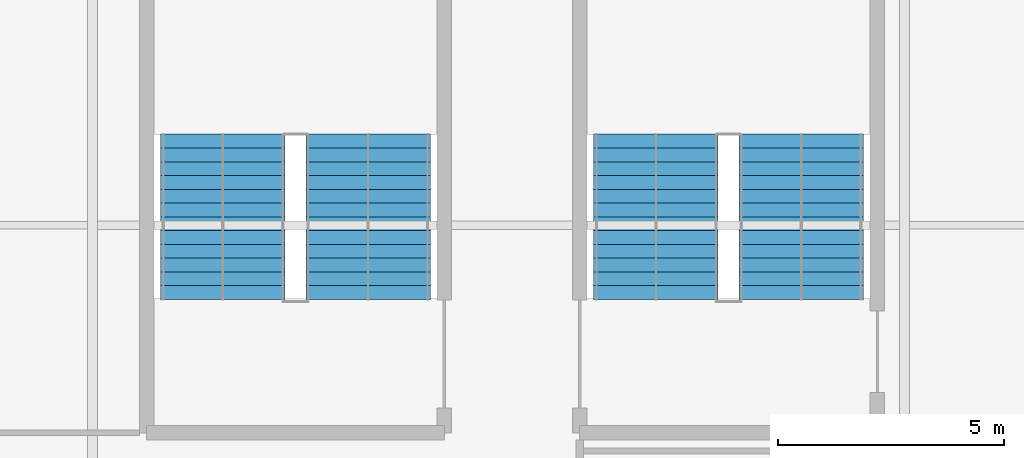
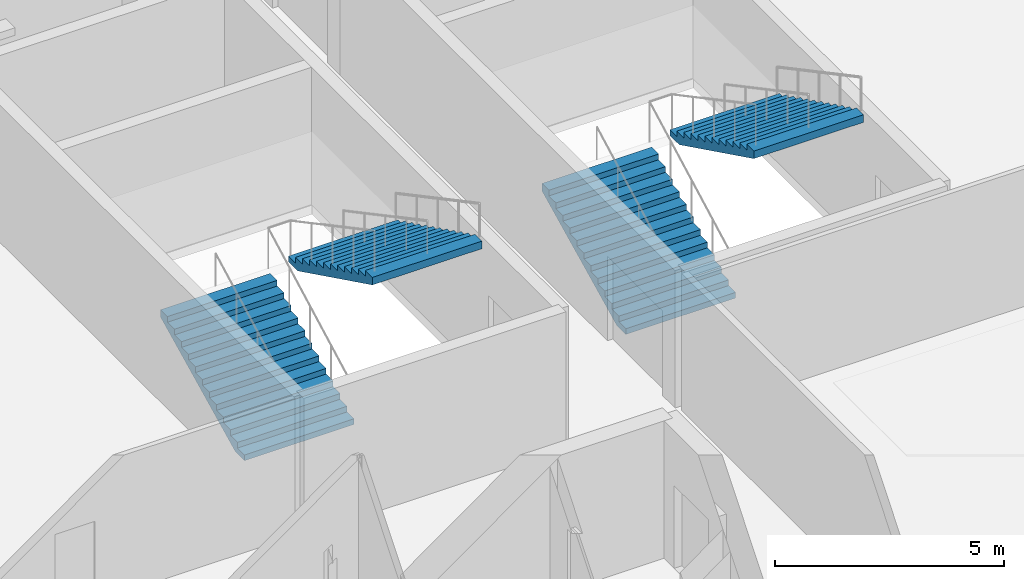
# One storey, part 26 of 35: 4 stair flights, 2 elements without a shape of their own.
"""IFC4 building model written with IfcOpenShell, lengths in metres."""

import ifcopenshell
import ifcopenshell.guid

model = None  # the IFC model being written
_history = None  # IfcOwnerHistory: only IFC2X3 demands one
_inside = {}  # id of a spatial element -> (the spatial element, [elements in it])
_under = {}  # id of a project, library or spatial element -> (it, [spatial elements below it])
_declared = {}  # id of a project -> (the project, [libraries it declares])
_typed = {}  # id of a type object -> (the type object, [elements of that type])
_made_of = {}  # id of a material, layer set ... -> (it, [elements and type objects made of it])


def new_model(schema):
    """Start an empty IFC model of exactly this schema.

    Asked for "IFC4X3", IfcOpenShell would pick the latest addendum, in which some entities
    have other attributes; the version numbers below select the first issue.
    IFC2X3 requires an IfcOwnerHistory on every rooted entity: one is made here for all.
    """
    global model, _history
    if schema == "IFC4X3":
        model = ifcopenshell.file(schema_version=(4, 3, 0, 0))
    else:
        model = ifcopenshell.file(schema=schema)
    _inside.clear()
    _under.clear()
    _declared.clear()
    _typed.clear()
    _made_of.clear()
    _history = None
    if model.schema == "IFC2X3":
        org = make("IfcOrganization", Name="unknown")
        user = make(
            "IfcPersonAndOrganization",
            ThePerson=make("IfcPerson", FamilyName="unknown"),
            TheOrganization=org,
        )
        app = make(
            "IfcApplication",
            ApplicationDeveloper=org,
            Version="unknown",
            ApplicationFullName="unknown",
            ApplicationIdentifier="unknown",
        )
        _history = make(
            "IfcOwnerHistory",
            OwningUser=user,
            OwningApplication=app,
            ChangeAction="ADDED",
            CreationDate=0,
        )
    return model


def make(cls, **values):
    """One entity of the class cls with the attributes given. An attribute that is None is left unset."""
    return model.create_entity(
        cls, **{name: value for name, value in values.items() if value is not None}
    )


def rooted(cls, **values):
    """An entity with a GlobalId (a new one), such as an element, a storey or a relation."""
    return make(cls, GlobalId=ifcopenshell.guid.new(), OwnerHistory=_history, **values)


def si_unit(unit_type, name, prefix=None):
    """IfcSIUnit, for example si_unit("LENGTHUNIT", "METRE", prefix="MILLI")."""
    return make("IfcSIUnit", UnitType=unit_type, Prefix=prefix, Name=name)


def assignment(units):
    """IfcUnitAssignment: the units of a project."""
    return None if units is None else make("IfcUnitAssignment", Units=units)


def point(xyz):
    """IfcCartesianPoint."""
    return None if xyz is None else make("IfcCartesianPoint", Coordinates=xyz)


def direction(xyz):
    """IfcDirection."""
    return None if xyz is None else make("IfcDirection", DirectionRatios=xyz)


def frame(location, z_axis=None, x_axis=None):
    """IfcAxis2Placement3D, a coordinate frame: its origin and axes. An axis left out is left unset."""
    return make(
        "IfcAxis2Placement3D",
        Location=point(location),
        Axis=direction(z_axis),
        RefDirection=direction(x_axis),
    )


def origin():
    """The frame at (0, 0, 0) with its axes left unset."""
    return frame((0.0, 0.0, 0.0))


def place(relative_to, where):
    """IfcLocalPlacement: puts the frame where relative to a parent placement (None: the world)."""
    return make(
        "IfcLocalPlacement", PlacementRelTo=relative_to, RelativePlacement=where
    )


def context(
    kind, dimensions, precision=None, world=None, true_north=None, identifier=None
):
    """IfcGeometricRepresentationContext, for example the 3D "Model" context."""
    return make(
        "IfcGeometricRepresentationContext",
        ContextIdentifier=identifier,
        ContextType=kind,
        CoordinateSpaceDimension=dimensions,
        Precision=precision,
        WorldCoordinateSystem=world,
        TrueNorth=true_north,
    )


def subcontext(parent, identifier, kind, view, scale=None):
    """IfcGeometricRepresentationSubContext, for example "Body" below "Model"."""
    return make(
        "IfcGeometricRepresentationSubContext",
        ContextIdentifier=identifier,
        ContextType=kind,
        ParentContext=parent,
        TargetScale=scale,
        TargetView=view,
    )


def project(units=None, contexts=None):
    """IfcProject with its units and contexts."""
    return rooted(
        "IfcProject",
        Name="project",
        RepresentationContexts=contexts,
        UnitsInContext=assignment(units),
    )


def spatial(cls, under=None, at=None, **own):
    """A site, building, storey or space (cls), placed at a placement, below another one or the project."""
    s = rooted(cls, ObjectPlacement=at, **own)
    if under is not None:
        _under.setdefault(under.id(), (under, []))[1].append(s)
    return s


def point_list(points):
    """IfcCartesianPointList2D or 3D."""
    cls = (
        "IfcCartesianPointList2D" if len(points[0]) == 2 else "IfcCartesianPointList3D"
    )
    return make(cls, CoordList=points)


def polygons(points, faces, closed=None, point_numbers=None):
    """IfcPolygonalFaceSet: a face is its outer loop, then its inner loops; points numbered from 1."""
    made = []
    for loops in faces:
        if len(loops) == 1:
            made.append(make("IfcIndexedPolygonalFace", CoordIndex=loops[0]))
        else:
            made.append(
                make(
                    "IfcIndexedPolygonalFaceWithVoids",
                    CoordIndex=loops[0],
                    InnerCoordIndices=loops[1:],
                )
            )
    return make(
        "IfcPolygonalFaceSet",
        Coordinates=point_list(points),
        Closed=closed,
        Faces=made,
        PnIndex=point_numbers,
    )


def shape(context_of_items, identifier, shape_type, items):
    """IfcShapeRepresentation: the items that make up one representation, for example the "Body"."""
    return make(
        "IfcShapeRepresentation",
        ContextOfItems=context_of_items,
        RepresentationIdentifier=identifier,
        RepresentationType=shape_type,
        Items=items,
    )


def material(Name=None, Category=None):
    """IfcMaterial."""
    return make("IfcMaterial", Name=Name, Category=Category)


def made_of(thing, what):
    """Note that an element or type object is made of a material, layer set ...; save() writes the relation."""
    if what is not None:
        _made_of.setdefault(what.id(), (what, []))[1].append(thing)
    return thing


def type_object(cls, material=None, **own):
    """A type object (cls), such as IfcWallType, which elements share."""
    return made_of(rooted(cls, **own), material)


def element(
    cls,
    number,
    at=None,
    inside=None,
    cuts=None,
    type_object=None,
    material=None,
    context=None,
    identifier="Body",
    shape_type=None,
    held_by="IfcProductDefinitionShape",
    body=None,
    shapes=None,
    **own,
):
    """One element of the class cls, such as IfcWall. Its Tag is "e" and its number.

    at: its placement. inside: the storey or other place that contains it. cuts: it is an
    opening in that element (IfcRelVoidsElement). A single representation is given by context,
    identifier, shape_type and body (its items); several are given by shapes. held_by: the class
    of the entity that holds the representations. save() writes the other relations.
    """
    e = rooted(cls, Tag="e%d" % number, ObjectPlacement=at, **own)
    if body is not None:
        shapes = [shape(context, identifier, shape_type, body)]
    if shapes is not None:
        e.Representation = make(held_by, Representations=shapes)
    if inside is not None:
        _inside.setdefault(inside.id(), (inside, []))[1].append(e)
    if cuts is not None:
        rooted(
            "IfcRelVoidsElement", RelatingBuildingElement=cuts, RelatedOpeningElement=e
        )
    if type_object is not None:
        _typed.setdefault(type_object.id(), (type_object, []))[1].append(e)
    return made_of(e, material)


def aggregate(whole, parts):
    """IfcRelAggregates: a whole, such as a stair, and the parts it consists of."""
    return rooted("IfcRelAggregates", RelatingObject=whole, RelatedObjects=parts)


def save(model, path):
    """Write the relations noted so far, then the file.

    IfcRelAggregates (storeys below a building ...), IfcRelContainedInSpatialStructure (elements
    in a storey), IfcRelDefinesByType, IfcRelAssociatesMaterial and IfcRelDeclares: one each for
    every whole, place, type object, material and project.
    """
    for whole, parts in _under.values():
        aggregate(whole, parts)
    for where, things in _inside.values():
        rooted(
            "IfcRelContainedInSpatialStructure",
            RelatedElements=things,
            RelatingStructure=where,
        )
    for kind, things in _typed.values():
        rooted("IfcRelDefinesByType", RelatedObjects=things, RelatingType=kind)
    for what, things in _made_of.values():
        rooted("IfcRelAssociatesMaterial", RelatedObjects=things, RelatingMaterial=what)
    for by, libraries in _declared.values():
        rooted("IfcRelDeclares", RelatingContext=by, RelatedDefinitions=libraries)
    model.write(path)


model = new_model("IFC4")

# Units and contexts
model_context = context("Model", 3, precision=1e-05, world=origin(), true_north=direction((0.0, 1.0)))
body_context = subcontext(model_context, "Body", "Model", "MODEL_VIEW")
ifc_project = project(units=[si_unit("LENGTHUNIT", "METRE"), si_unit("AREAUNIT", "SQUARE_METRE"), si_unit("VOLUMEUNIT", "CUBIC_METRE"), si_unit("PLANEANGLEUNIT", "RADIAN"), si_unit("MASSUNIT", "GRAM", prefix="KILO")], contexts=[model_context])

# Site, building, storey
site_placement = place(None, origin())
site = spatial("IfcSite", under=ifc_project, at=site_placement, CompositionType="ELEMENT")
building_placement = place(site_placement, origin())
building = spatial("IfcBuilding", under=site, at=building_placement, Name="Kisiwana Market Hall", CompositionType="ELEMENT")
storey_placement = place(building_placement, frame((0.0, 0.0, 61.800048828125)))
storey = spatial("IfcBuildingStorey", under=building, at=storey_placement, Name="L14", CompositionType="ELEMENT", Elevation=61.800048828125)

# Stair, stair flights
ifc_material_1 = material(Name="Concrete C32/40", Category="concrete")
stair_type = type_object("IfcStairType", Name="ST-ESC-3900", PredefinedType="TWO_STRAIGHT_RUN_STAIR", material=ifc_material_1)
stair_1_placement = place(storey_placement, origin())
stair_1 = element("IfcStair", 1, at=stair_1_placement, inside=storey, type_object=stair_type, Name="Escape stair ST-W3-L14", PredefinedType="TWO_STRAIGHT_RUN_STAIR")
ifc_material_2 = material(Name="Concrete C32/40", Category="concrete")
stair_flight_type = type_object("IfcStairFlightType", Name="SF-ESC-3900", PredefinedType="STRAIGHT", material=ifc_material_2)
stair_flight_1_placement = place(storey_placement, frame((11.889892578125, 42.360107421875, 0.0), z_axis=(0.0, 0.0, 1.0), x_axis=(0.0, 1.0, 0.0)))
stair_flight_1 = element("IfcStairFlight", 2, at=stair_flight_1_placement, type_object=stair_flight_type, Name="ST-W3-L14 flight 1", NumberOfRisers=13, NumberOfTreads=12, PredefinedType="STRAIGHT", RiserHeight=0.15, TreadLength=0.305, context=body_context, shape_type="Tessellation", body=[
    polygons([(0.0, -1.380127, 0.0), (0.0, -0.690125, 0.0), (0.0, -0.000122, 0.0), (0.0, 0.68988, 0.0), (0.0, 1.379883, 0.0), (0.0, -1.380127, 0.149902), (0.0, -0.690125, 0.149902), (0.0, -0.000122, 0.149902), (0.0, 0.68988, 0.149902), (0.0, 1.379883, 0.149902), (0.304932, -1.380127, 0.149902), (0.304932, -0.690125, 0.149902), (0.304932, -0.000122, 0.149902), (0.304932, 0.68988, 0.149902), (0.304932, 1.379883, 0.149902), (0.304932, -1.380127, 0.300049), (0.304932, -0.690125, 0.300049), (0.304932, -0.000122, 0.300049), (0.304932, 0.68988, 0.300049), (0.304932, 1.379883, 0.300049), (0.610107, -1.380127, 0.300049), (0.610107, -0.690125, 0.300049), (0.610107, -0.000122, 0.300049), (0.610107, 0.68988, 0.300049), (0.610107, 1.379883, 0.300049), (0.610107, -1.380127, 0.449951), (0.610107, -0.690125, 0.449951), (0.610107, -0.000122, 0.449951), (0.610107, 0.68988, 0.449951), (0.610107, 1.379883, 0.449951), (0.915039, -1.380127, 0.449951), (0.915039, -0.690125, 0.449951), (0.915039, -0.000122, 0.449951), (0.915039, 0.68988, 0.449951), (0.915039, 1.379883, 0.449951), (0.915039, -1.380127, 0.600098), (0.915039, -0.690125, 0.600098), (0.915039, -0.000122, 0.600098), (0.915039, 0.68988, 0.600098), (0.915039, 1.379883, 0.600098), (1.219971, -1.380127, 0.600098), (1.219971, -0.690125, 0.600098), (1.219971, -0.000122, 0.600098), (1.219971, 0.68988, 0.600098), (1.219971, 1.379883, 0.600098), (1.219971, -1.380127, 0.75), (1.219971, -0.690125, 0.75), (1.219971, -0.000122, 0.75), (1.219971, 0.68988, 0.75), (1.219971, 1.379883, 0.75), (1.524902, -1.380127, 0.75), (1.524902, -0.690125, 0.75), (1.524902, -0.000122, 0.75), (1.524902, 0.68988, 0.75), (1.524902, 1.379883, 0.75), (1.524902, -1.380127, 0.899902), (1.524902, -0.690125, 0.899902), (1.524902, -0.000122, 0.899902), (1.524902, 0.68988, 0.899902), (1.524902, 1.379883, 0.899902), (1.830078, -1.380127, 0.899902), (1.830078, -0.690125, 0.899902), (1.830078, -0.000122, 0.899902), (1.830078, 0.68988, 0.899902), (1.830078, 1.379883, 0.899902), (1.830078, -1.380127, 1.050049), (1.830078, -0.690125, 1.050049), (1.830078, -0.000122, 1.050049), (1.830078, 0.68988, 1.050049), (1.830078, 1.379883, 1.050049), (2.13501, -1.380127, 1.050049), (2.13501, -0.690125, 1.050049), (2.13501, -0.000122, 1.050049), (2.13501, 0.68988, 1.050049), (2.13501, 1.379883, 1.050049), (2.13501, -1.380127, 1.199951), (2.13501, -0.690125, 1.199951), (2.13501, -0.000122, 1.199951), (2.13501, 0.68988, 1.199951), (2.13501, 1.379883, 1.199951), (2.439941, -1.380127, 1.199951), (2.439941, -0.690125, 1.199951), (2.439941, -0.000122, 1.199951), (2.439941, 0.68988, 1.199951), (2.439941, 1.379883, 1.199951), (2.439941, -1.380127, 1.350098), (2.439941, -0.690125, 1.350098), (2.439941, -0.000122, 1.350098), (2.439941, 0.68988, 1.350098), (2.439941, 1.379883, 1.350098), (2.745117, -1.380127, 1.350098), (2.745117, -0.690125, 1.350098), (2.745117, -0.000122, 1.350098), (2.745117, 0.68988, 1.350098), (2.745117, 1.379883, 1.350098), (2.745117, -1.380127, 1.5), (2.745117, -0.690125, 1.5), (2.745117, -0.000122, 1.5), (2.745117, 0.68988, 1.5), (2.745117, 1.379883, 1.5), (3.050049, -1.380127, 1.5), (3.050049, -0.690125, 1.5), (3.050049, -0.000122, 1.5), (3.050049, 0.68988, 1.5), (3.050049, 1.379883, 1.5), (3.050049, -1.380127, 1.649902), (3.050049, -0.690125, 1.649902), (3.050049, -0.000122, 1.649902), (3.050049, 0.68988, 1.649902), (3.050049, 1.379883, 1.649902), (3.35498, -1.380127, 1.649902), (3.35498, -0.690125, 1.649902), (3.35498, -0.000122, 1.649902), (3.35498, 0.68988, 1.649902), (3.35498, 1.379883, 1.649902), (3.35498, -1.380127, 1.800049), (3.35498, -0.690125, 1.800049), (3.35498, -0.000122, 1.800049), (3.35498, 0.68988, 1.800049), (3.35498, 1.379883, 1.800049), (3.659912, -1.380127, 1.800049), (3.659912, -0.690125, 1.800049), (3.659912, -0.000122, 1.800049), (3.659912, 0.68988, 1.800049), (3.659912, 1.379883, 1.800049), (3.659912, -1.380127, 1.599365), (3.659912, -0.690125, 1.599365), (3.659912, -0.000122, 1.599365), (3.659912, 0.68988, 1.599365), (3.659912, 1.379883, 1.599365), (0.407715, -1.380127, 0.0), (0.407715, -0.690125, 0.0), (0.407715, -0.000122, 0.0), (0.407715, 0.68988, 0.0), (0.407715, 1.379883, 0.0)], [[[1, 6, 7, 2]], [[2, 7, 8, 3]], [[3, 8, 9, 4]], [[4, 9, 10, 5]], [[6, 11, 12, 7]], [[7, 12, 13, 8]], [[8, 13, 14, 9]], [[9, 14, 15, 10]], [[11, 16, 17, 12]], [[12, 17, 18, 13]], [[13, 18, 19, 14]], [[14, 19, 20, 15]], [[16, 21, 22, 17]], [[17, 22, 23, 18]], [[18, 23, 24, 19]], [[19, 24, 25, 20]], [[21, 26, 27, 22]], [[22, 27, 28, 23]], [[23, 28, 29, 24]], [[24, 29, 30, 25]], [[26, 31, 32, 27]], [[27, 32, 33, 28]], [[28, 33, 34, 29]], [[29, 34, 35, 30]], [[31, 36, 37, 32]], [[32, 37, 38, 33]], [[33, 38, 39, 34]], [[34, 39, 40, 35]], [[36, 41, 42, 37]], [[37, 42, 43, 38]], [[38, 43, 44, 39]], [[39, 44, 45, 40]], [[41, 46, 47, 42]], [[42, 47, 48, 43]], [[43, 48, 49, 44]], [[44, 49, 50, 45]], [[46, 51, 52, 47]], [[47, 52, 53, 48]], [[48, 53, 54, 49]], [[49, 54, 55, 50]], [[51, 56, 57, 52]], [[52, 57, 58, 53]], [[53, 58, 59, 54]], [[54, 59, 60, 55]], [[56, 61, 62, 57]], [[57, 62, 63, 58]], [[58, 63, 64, 59]], [[59, 64, 65, 60]], [[61, 66, 67, 62]], [[62, 67, 68, 63]], [[63, 68, 69, 64]], [[64, 69, 70, 65]], [[66, 71, 72, 67]], [[67, 72, 73, 68]], [[68, 73, 74, 69]], [[69, 74, 75, 70]], [[71, 76, 77, 72]], [[72, 77, 78, 73]], [[73, 78, 79, 74]], [[74, 79, 80, 75]], [[76, 81, 82, 77]], [[77, 82, 83, 78]], [[78, 83, 84, 79]], [[79, 84, 85, 80]], [[81, 86, 87, 82]], [[82, 87, 88, 83]], [[83, 88, 89, 84]], [[84, 89, 90, 85]], [[86, 91, 92, 87]], [[87, 92, 93, 88]], [[88, 93, 94, 89]], [[89, 94, 95, 90]], [[91, 96, 97, 92]], [[92, 97, 98, 93]], [[93, 98, 99, 94]], [[94, 99, 100, 95]], [[96, 101, 102, 97]], [[97, 102, 103, 98]], [[98, 103, 104, 99]], [[99, 104, 105, 100]], [[101, 106, 107, 102]], [[102, 107, 108, 103]], [[103, 108, 109, 104]], [[104, 109, 110, 105]], [[106, 111, 112, 107]], [[107, 112, 113, 108]], [[108, 113, 114, 109]], [[109, 114, 115, 110]], [[111, 116, 117, 112]], [[112, 117, 118, 113]], [[113, 118, 119, 114]], [[114, 119, 120, 115]], [[116, 121, 122, 117]], [[117, 122, 123, 118]], [[118, 123, 124, 119]], [[119, 124, 125, 120]], [[121, 126, 127, 122]], [[122, 127, 128, 123]], [[123, 128, 129, 124]], [[124, 129, 130, 125]], [[126, 131, 132, 127]], [[127, 132, 133, 128]], [[128, 133, 134, 129]], [[129, 134, 135, 130]], [[131, 1, 2, 132]], [[132, 2, 3, 133]], [[133, 3, 4, 134]], [[134, 4, 5, 135]], [[131, 126, 121, 116, 111, 106, 101, 96, 91, 86, 81, 76, 71, 66, 61, 56, 51, 46, 41, 36, 31, 26, 21, 16, 11, 6, 1]], [[5, 10, 15, 20, 25, 30, 35, 40, 45, 50, 55, 60, 65, 70, 75, 80, 85, 90, 95, 100, 105, 110, 115, 120, 125, 130, 135]]], closed=True),
])
stair_flight_2_placement = place(storey_placement, frame((15.110107421875, 46.02001953125, 1.949951171875), z_axis=(0.0, 0.0, 1.0), x_axis=(0.0, -1.0, 0.0)))
stair_flight_2 = element("IfcStairFlight", 3, at=stair_flight_2_placement, type_object=stair_flight_type, Name="ST-W3-L14 flight 2", NumberOfRisers=13, NumberOfTreads=12, PredefinedType="STRAIGHT", RiserHeight=0.15, TreadLength=0.305, context=body_context, shape_type="Tessellation", body=[
    polygons([(0.0, -1.380127, 0.0), (0.0, -0.690125, 0.0), (0.0, -0.000122, 0.0), (0.0, 0.68988, 0.0), (0.0, 1.379883, 0.0), (0.0, -1.380127, 0.149902), (0.0, -0.690125, 0.149902), (0.0, -0.000122, 0.149902), (0.0, 0.68988, 0.149902), (0.0, 1.379883, 0.149902), (0.304932, -1.380127, 0.149902), (0.304932, -0.690125, 0.149902), (0.304932, -0.000122, 0.149902), (0.304932, 0.68988, 0.149902), (0.304932, 1.379883, 0.149902), (0.304932, -1.380127, 0.300049), (0.304932, -0.690125, 0.300049), (0.304932, -0.000122, 0.300049), (0.304932, 0.68988, 0.300049), (0.304932, 1.379883, 0.300049), (0.610107, -1.380127, 0.300049), (0.610107, -0.690125, 0.300049), (0.610107, -0.000122, 0.300049), (0.610107, 0.68988, 0.300049), (0.610107, 1.379883, 0.300049), (0.610107, -1.380127, 0.449951), (0.610107, -0.690125, 0.449951), (0.610107, -0.000122, 0.449951), (0.610107, 0.68988, 0.449951), (0.610107, 1.379883, 0.449951), (0.915039, -1.380127, 0.449951), (0.915039, -0.690125, 0.449951), (0.915039, -0.000122, 0.449951), (0.915039, 0.68988, 0.449951), (0.915039, 1.379883, 0.449951), (0.915039, -1.380127, 0.600098), (0.915039, -0.690125, 0.600098), (0.915039, -0.000122, 0.600098), (0.915039, 0.68988, 0.600098), (0.915039, 1.379883, 0.600098), (1.219971, -1.380127, 0.600098), (1.219971, -0.690125, 0.600098), (1.219971, -0.000122, 0.600098), (1.219971, 0.68988, 0.600098), (1.219971, 1.379883, 0.600098), (1.219971, -1.380127, 0.75), (1.219971, -0.690125, 0.75), (1.219971, -0.000122, 0.75), (1.219971, 0.68988, 0.75), (1.219971, 1.379883, 0.75), (1.524902, -1.380127, 0.75), (1.524902, -0.690125, 0.75), (1.524902, -0.000122, 0.75), (1.524902, 0.68988, 0.75), (1.524902, 1.379883, 0.75), (1.524902, -1.380127, 0.899902), (1.524902, -0.690125, 0.899902), (1.524902, -0.000122, 0.899902), (1.524902, 0.68988, 0.899902), (1.524902, 1.379883, 0.899902), (1.830078, -1.380127, 0.899902), (1.830078, -0.690125, 0.899902), (1.830078, -0.000122, 0.899902), (1.830078, 0.68988, 0.899902), (1.830078, 1.379883, 0.899902), (1.830078, -1.380127, 1.050049), (1.830078, -0.690125, 1.050049), (1.830078, -0.000122, 1.050049), (1.830078, 0.68988, 1.050049), (1.830078, 1.379883, 1.050049), (2.13501, -1.380127, 1.050049), (2.13501, -0.690125, 1.050049), (2.13501, -0.000122, 1.050049), (2.13501, 0.68988, 1.050049), (2.13501, 1.379883, 1.050049), (2.13501, -1.380127, 1.199951), (2.13501, -0.690125, 1.199951), (2.13501, -0.000122, 1.199951), (2.13501, 0.68988, 1.199951), (2.13501, 1.379883, 1.199951), (2.439941, -1.380127, 1.199951), (2.439941, -0.690125, 1.199951), (2.439941, -0.000122, 1.199951), (2.439941, 0.68988, 1.199951), (2.439941, 1.379883, 1.199951), (2.439941, -1.380127, 1.350098), (2.439941, -0.690125, 1.350098), (2.439941, -0.000122, 1.350098), (2.439941, 0.68988, 1.350098), (2.439941, 1.379883, 1.350098), (2.745117, -1.380127, 1.350098), (2.745117, -0.690125, 1.350098), (2.745117, -0.000122, 1.350098), (2.745117, 0.68988, 1.350098), (2.745117, 1.379883, 1.350098), (2.745117, -1.380127, 1.5), (2.745117, -0.690125, 1.5), (2.745117, -0.000122, 1.5), (2.745117, 0.68988, 1.5), (2.745117, 1.379883, 1.5), (3.050049, -1.380127, 1.5), (3.050049, -0.690125, 1.5), (3.050049, -0.000122, 1.5), (3.050049, 0.68988, 1.5), (3.050049, 1.379883, 1.5), (3.050049, -1.380127, 1.649902), (3.050049, -0.690125, 1.649902), (3.050049, -0.000122, 1.649902), (3.050049, 0.68988, 1.649902), (3.050049, 1.379883, 1.649902), (3.35498, -1.380127, 1.649902), (3.35498, -0.690125, 1.649902), (3.35498, -0.000122, 1.649902), (3.35498, 0.68988, 1.649902), (3.35498, 1.379883, 1.649902), (3.35498, -1.380127, 1.800049), (3.35498, -0.690125, 1.800049), (3.35498, -0.000122, 1.800049), (3.35498, 0.68988, 1.800049), (3.35498, 1.379883, 1.800049), (3.659912, -1.380127, 1.800049), (3.659912, -0.690125, 1.800049), (3.659912, -0.000122, 1.800049), (3.659912, 0.68988, 1.800049), (3.659912, 1.379883, 1.800049), (3.659912, -1.380127, 1.599365), (3.659912, -0.690125, 1.599365), (3.659912, -0.000122, 1.599365), (3.659912, 0.68988, 1.599365), (3.659912, 1.379883, 1.599365), (0.407715, -1.380127, 0.0), (0.407715, -0.690125, 0.0), (0.407715, -0.000122, 0.0), (0.407715, 0.68988, 0.0), (0.407715, 1.379883, 0.0)], [[[1, 6, 7, 2]], [[2, 7, 8, 3]], [[3, 8, 9, 4]], [[4, 9, 10, 5]], [[6, 11, 12, 7]], [[7, 12, 13, 8]], [[8, 13, 14, 9]], [[9, 14, 15, 10]], [[11, 16, 17, 12]], [[12, 17, 18, 13]], [[13, 18, 19, 14]], [[14, 19, 20, 15]], [[16, 21, 22, 17]], [[17, 22, 23, 18]], [[18, 23, 24, 19]], [[19, 24, 25, 20]], [[21, 26, 27, 22]], [[22, 27, 28, 23]], [[23, 28, 29, 24]], [[24, 29, 30, 25]], [[26, 31, 32, 27]], [[27, 32, 33, 28]], [[28, 33, 34, 29]], [[29, 34, 35, 30]], [[31, 36, 37, 32]], [[32, 37, 38, 33]], [[33, 38, 39, 34]], [[34, 39, 40, 35]], [[36, 41, 42, 37]], [[37, 42, 43, 38]], [[38, 43, 44, 39]], [[39, 44, 45, 40]], [[41, 46, 47, 42]], [[42, 47, 48, 43]], [[43, 48, 49, 44]], [[44, 49, 50, 45]], [[46, 51, 52, 47]], [[47, 52, 53, 48]], [[48, 53, 54, 49]], [[49, 54, 55, 50]], [[51, 56, 57, 52]], [[52, 57, 58, 53]], [[53, 58, 59, 54]], [[54, 59, 60, 55]], [[56, 61, 62, 57]], [[57, 62, 63, 58]], [[58, 63, 64, 59]], [[59, 64, 65, 60]], [[61, 66, 67, 62]], [[62, 67, 68, 63]], [[63, 68, 69, 64]], [[64, 69, 70, 65]], [[66, 71, 72, 67]], [[67, 72, 73, 68]], [[68, 73, 74, 69]], [[69, 74, 75, 70]], [[71, 76, 77, 72]], [[72, 77, 78, 73]], [[73, 78, 79, 74]], [[74, 79, 80, 75]], [[76, 81, 82, 77]], [[77, 82, 83, 78]], [[78, 83, 84, 79]], [[79, 84, 85, 80]], [[81, 86, 87, 82]], [[82, 87, 88, 83]], [[83, 88, 89, 84]], [[84, 89, 90, 85]], [[86, 91, 92, 87]], [[87, 92, 93, 88]], [[88, 93, 94, 89]], [[89, 94, 95, 90]], [[91, 96, 97, 92]], [[92, 97, 98, 93]], [[93, 98, 99, 94]], [[94, 99, 100, 95]], [[96, 101, 102, 97]], [[97, 102, 103, 98]], [[98, 103, 104, 99]], [[99, 104, 105, 100]], [[101, 106, 107, 102]], [[102, 107, 108, 103]], [[103, 108, 109, 104]], [[104, 109, 110, 105]], [[106, 111, 112, 107]], [[107, 112, 113, 108]], [[108, 113, 114, 109]], [[109, 114, 115, 110]], [[111, 116, 117, 112]], [[112, 117, 118, 113]], [[113, 118, 119, 114]], [[114, 119, 120, 115]], [[116, 121, 122, 117]], [[117, 122, 123, 118]], [[118, 123, 124, 119]], [[119, 124, 125, 120]], [[121, 126, 127, 122]], [[122, 127, 128, 123]], [[123, 128, 129, 124]], [[124, 129, 130, 125]], [[126, 131, 132, 127]], [[127, 132, 133, 128]], [[128, 133, 134, 129]], [[129, 134, 135, 130]], [[131, 1, 2, 132]], [[132, 2, 3, 133]], [[133, 3, 4, 134]], [[134, 4, 5, 135]], [[131, 126, 121, 116, 111, 106, 101, 96, 91, 86, 81, 76, 71, 66, 61, 56, 51, 46, 41, 36, 31, 26, 21, 16, 11, 6, 1]], [[5, 10, 15, 20, 25, 30, 35, 40, 45, 50, 55, 60, 65, 70, 75, 80, 85, 90, 95, 100, 105, 110, 115, 120, 125, 130, 135]]], closed=True),
])
aggregate(stair_1, [stair_flight_1, stair_flight_2])

stair_2_placement = place(storey_placement, origin())
stair_2 = element("IfcStair", 4, at=stair_2_placement, inside=storey, type_object=stair_type, Name="Escape stair ST-W7-L14", PredefinedType="TWO_STRAIGHT_RUN_STAIR")
stair_flight_3_placement = place(storey_placement, frame((21.489990234375, 42.360107421875, 0.0), z_axis=(0.0, 0.0, 1.0), x_axis=(0.0, 1.0, 0.0)))
stair_flight_3 = element("IfcStairFlight", 5, at=stair_flight_3_placement, type_object=stair_flight_type, Name="ST-W7-L14 flight 1", NumberOfRisers=13, NumberOfTreads=12, PredefinedType="STRAIGHT", RiserHeight=0.15, TreadLength=0.305, context=body_context, shape_type="Tessellation", body=[
    polygons([(0.0, -1.380127, 0.0), (0.0, -0.690125, 0.0), (0.0, -0.000122, 0.0), (0.0, 0.68988, 0.0), (0.0, 1.379883, 0.0), (0.0, -1.380127, 0.149902), (0.0, -0.690125, 0.149902), (0.0, -0.000122, 0.149902), (0.0, 0.68988, 0.149902), (0.0, 1.379883, 0.149902), (0.304932, -1.380127, 0.149902), (0.304932, -0.690125, 0.149902), (0.304932, -0.000122, 0.149902), (0.304932, 0.68988, 0.149902), (0.304932, 1.379883, 0.149902), (0.304932, -1.380127, 0.300049), (0.304932, -0.690125, 0.300049), (0.304932, -0.000122, 0.300049), (0.304932, 0.68988, 0.300049), (0.304932, 1.379883, 0.300049), (0.610107, -1.380127, 0.300049), (0.610107, -0.690125, 0.300049), (0.610107, -0.000122, 0.300049), (0.610107, 0.68988, 0.300049), (0.610107, 1.379883, 0.300049), (0.610107, -1.380127, 0.449951), (0.610107, -0.690125, 0.449951), (0.610107, -0.000122, 0.449951), (0.610107, 0.68988, 0.449951), (0.610107, 1.379883, 0.449951), (0.915039, -1.380127, 0.449951), (0.915039, -0.690125, 0.449951), (0.915039, -0.000122, 0.449951), (0.915039, 0.68988, 0.449951), (0.915039, 1.379883, 0.449951), (0.915039, -1.380127, 0.600098), (0.915039, -0.690125, 0.600098), (0.915039, -0.000122, 0.600098), (0.915039, 0.68988, 0.600098), (0.915039, 1.379883, 0.600098), (1.219971, -1.380127, 0.600098), (1.219971, -0.690125, 0.600098), (1.219971, -0.000122, 0.600098), (1.219971, 0.68988, 0.600098), (1.219971, 1.379883, 0.600098), (1.219971, -1.380127, 0.75), (1.219971, -0.690125, 0.75), (1.219971, -0.000122, 0.75), (1.219971, 0.68988, 0.75), (1.219971, 1.379883, 0.75), (1.524902, -1.380127, 0.75), (1.524902, -0.690125, 0.75), (1.524902, -0.000122, 0.75), (1.524902, 0.68988, 0.75), (1.524902, 1.379883, 0.75), (1.524902, -1.380127, 0.899902), (1.524902, -0.690125, 0.899902), (1.524902, -0.000122, 0.899902), (1.524902, 0.68988, 0.899902), (1.524902, 1.379883, 0.899902), (1.830078, -1.380127, 0.899902), (1.830078, -0.690125, 0.899902), (1.830078, -0.000122, 0.899902), (1.830078, 0.68988, 0.899902), (1.830078, 1.379883, 0.899902), (1.830078, -1.380127, 1.050049), (1.830078, -0.690125, 1.050049), (1.830078, -0.000122, 1.050049), (1.830078, 0.68988, 1.050049), (1.830078, 1.379883, 1.050049), (2.13501, -1.380127, 1.050049), (2.13501, -0.690125, 1.050049), (2.13501, -0.000122, 1.050049), (2.13501, 0.68988, 1.050049), (2.13501, 1.379883, 1.050049), (2.13501, -1.380127, 1.199951), (2.13501, -0.690125, 1.199951), (2.13501, -0.000122, 1.199951), (2.13501, 0.68988, 1.199951), (2.13501, 1.379883, 1.199951), (2.439941, -1.380127, 1.199951), (2.439941, -0.690125, 1.199951), (2.439941, -0.000122, 1.199951), (2.439941, 0.68988, 1.199951), (2.439941, 1.379883, 1.199951), (2.439941, -1.380127, 1.350098), (2.439941, -0.690125, 1.350098), (2.439941, -0.000122, 1.350098), (2.439941, 0.68988, 1.350098), (2.439941, 1.379883, 1.350098), (2.745117, -1.380127, 1.350098), (2.745117, -0.690125, 1.350098), (2.745117, -0.000122, 1.350098), (2.745117, 0.68988, 1.350098), (2.745117, 1.379883, 1.350098), (2.745117, -1.380127, 1.5), (2.745117, -0.690125, 1.5), (2.745117, -0.000122, 1.5), (2.745117, 0.68988, 1.5), (2.745117, 1.379883, 1.5), (3.050049, -1.380127, 1.5), (3.050049, -0.690125, 1.5), (3.050049, -0.000122, 1.5), (3.050049, 0.68988, 1.5), (3.050049, 1.379883, 1.5), (3.050049, -1.380127, 1.649902), (3.050049, -0.690125, 1.649902), (3.050049, -0.000122, 1.649902), (3.050049, 0.68988, 1.649902), (3.050049, 1.379883, 1.649902), (3.35498, -1.380127, 1.649902), (3.35498, -0.690125, 1.649902), (3.35498, -0.000122, 1.649902), (3.35498, 0.68988, 1.649902), (3.35498, 1.379883, 1.649902), (3.35498, -1.380127, 1.800049), (3.35498, -0.690125, 1.800049), (3.35498, -0.000122, 1.800049), (3.35498, 0.68988, 1.800049), (3.35498, 1.379883, 1.800049), (3.659912, -1.380127, 1.800049), (3.659912, -0.690125, 1.800049), (3.659912, -0.000122, 1.800049), (3.659912, 0.68988, 1.800049), (3.659912, 1.379883, 1.800049), (3.659912, -1.380127, 1.599365), (3.659912, -0.690125, 1.599365), (3.659912, -0.000122, 1.599365), (3.659912, 0.68988, 1.599365), (3.659912, 1.379883, 1.599365), (0.407715, -1.380127, 0.0), (0.407715, -0.690125, 0.0), (0.407715, -0.000122, 0.0), (0.407715, 0.68988, 0.0), (0.407715, 1.379883, 0.0)], [[[1, 6, 7, 2]], [[2, 7, 8, 3]], [[3, 8, 9, 4]], [[4, 9, 10, 5]], [[6, 11, 12, 7]], [[7, 12, 13, 8]], [[8, 13, 14, 9]], [[9, 14, 15, 10]], [[11, 16, 17, 12]], [[12, 17, 18, 13]], [[13, 18, 19, 14]], [[14, 19, 20, 15]], [[16, 21, 22, 17]], [[17, 22, 23, 18]], [[18, 23, 24, 19]], [[19, 24, 25, 20]], [[21, 26, 27, 22]], [[22, 27, 28, 23]], [[23, 28, 29, 24]], [[24, 29, 30, 25]], [[26, 31, 32, 27]], [[27, 32, 33, 28]], [[28, 33, 34, 29]], [[29, 34, 35, 30]], [[31, 36, 37, 32]], [[32, 37, 38, 33]], [[33, 38, 39, 34]], [[34, 39, 40, 35]], [[36, 41, 42, 37]], [[37, 42, 43, 38]], [[38, 43, 44, 39]], [[39, 44, 45, 40]], [[41, 46, 47, 42]], [[42, 47, 48, 43]], [[43, 48, 49, 44]], [[44, 49, 50, 45]], [[46, 51, 52, 47]], [[47, 52, 53, 48]], [[48, 53, 54, 49]], [[49, 54, 55, 50]], [[51, 56, 57, 52]], [[52, 57, 58, 53]], [[53, 58, 59, 54]], [[54, 59, 60, 55]], [[56, 61, 62, 57]], [[57, 62, 63, 58]], [[58, 63, 64, 59]], [[59, 64, 65, 60]], [[61, 66, 67, 62]], [[62, 67, 68, 63]], [[63, 68, 69, 64]], [[64, 69, 70, 65]], [[66, 71, 72, 67]], [[67, 72, 73, 68]], [[68, 73, 74, 69]], [[69, 74, 75, 70]], [[71, 76, 77, 72]], [[72, 77, 78, 73]], [[73, 78, 79, 74]], [[74, 79, 80, 75]], [[76, 81, 82, 77]], [[77, 82, 83, 78]], [[78, 83, 84, 79]], [[79, 84, 85, 80]], [[81, 86, 87, 82]], [[82, 87, 88, 83]], [[83, 88, 89, 84]], [[84, 89, 90, 85]], [[86, 91, 92, 87]], [[87, 92, 93, 88]], [[88, 93, 94, 89]], [[89, 94, 95, 90]], [[91, 96, 97, 92]], [[92, 97, 98, 93]], [[93, 98, 99, 94]], [[94, 99, 100, 95]], [[96, 101, 102, 97]], [[97, 102, 103, 98]], [[98, 103, 104, 99]], [[99, 104, 105, 100]], [[101, 106, 107, 102]], [[102, 107, 108, 103]], [[103, 108, 109, 104]], [[104, 109, 110, 105]], [[106, 111, 112, 107]], [[107, 112, 113, 108]], [[108, 113, 114, 109]], [[109, 114, 115, 110]], [[111, 116, 117, 112]], [[112, 117, 118, 113]], [[113, 118, 119, 114]], [[114, 119, 120, 115]], [[116, 121, 122, 117]], [[117, 122, 123, 118]], [[118, 123, 124, 119]], [[119, 124, 125, 120]], [[121, 126, 127, 122]], [[122, 127, 128, 123]], [[123, 128, 129, 124]], [[124, 129, 130, 125]], [[126, 131, 132, 127]], [[127, 132, 133, 128]], [[128, 133, 134, 129]], [[129, 134, 135, 130]], [[131, 1, 2, 132]], [[132, 2, 3, 133]], [[133, 3, 4, 134]], [[134, 4, 5, 135]], [[131, 126, 121, 116, 111, 106, 101, 96, 91, 86, 81, 76, 71, 66, 61, 56, 51, 46, 41, 36, 31, 26, 21, 16, 11, 6, 1]], [[5, 10, 15, 20, 25, 30, 35, 40, 45, 50, 55, 60, 65, 70, 75, 80, 85, 90, 95, 100, 105, 110, 115, 120, 125, 130, 135]]], closed=True),
])
stair_flight_4_placement = place(storey_placement, frame((24.7099609375, 46.02001953125, 1.949951171875), z_axis=(0.0, 0.0, 1.0), x_axis=(0.0, -1.0, 0.0)))
stair_flight_4 = element("IfcStairFlight", 6, at=stair_flight_4_placement, type_object=stair_flight_type, Name="ST-W7-L14 flight 2", NumberOfRisers=13, NumberOfTreads=12, PredefinedType="STRAIGHT", RiserHeight=0.15, TreadLength=0.305, context=body_context, shape_type="Tessellation", body=[
    polygons([(0.0, -1.380127, 0.0), (0.0, -0.690125, 0.0), (0.0, -0.000122, 0.0), (0.0, 0.68988, 0.0), (0.0, 1.379883, 0.0), (0.0, -1.380127, 0.149902), (0.0, -0.690125, 0.149902), (0.0, -0.000122, 0.149902), (0.0, 0.68988, 0.149902), (0.0, 1.379883, 0.149902), (0.304932, -1.380127, 0.149902), (0.304932, -0.690125, 0.149902), (0.304932, -0.000122, 0.149902), (0.304932, 0.68988, 0.149902), (0.304932, 1.379883, 0.149902), (0.304932, -1.380127, 0.300049), (0.304932, -0.690125, 0.300049), (0.304932, -0.000122, 0.300049), (0.304932, 0.68988, 0.300049), (0.304932, 1.379883, 0.300049), (0.610107, -1.380127, 0.300049), (0.610107, -0.690125, 0.300049), (0.610107, -0.000122, 0.300049), (0.610107, 0.68988, 0.300049), (0.610107, 1.379883, 0.300049), (0.610107, -1.380127, 0.449951), (0.610107, -0.690125, 0.449951), (0.610107, -0.000122, 0.449951), (0.610107, 0.68988, 0.449951), (0.610107, 1.379883, 0.449951), (0.915039, -1.380127, 0.449951), (0.915039, -0.690125, 0.449951), (0.915039, -0.000122, 0.449951), (0.915039, 0.68988, 0.449951), (0.915039, 1.379883, 0.449951), (0.915039, -1.380127, 0.600098), (0.915039, -0.690125, 0.600098), (0.915039, -0.000122, 0.600098), (0.915039, 0.68988, 0.600098), (0.915039, 1.379883, 0.600098), (1.219971, -1.380127, 0.600098), (1.219971, -0.690125, 0.600098), (1.219971, -0.000122, 0.600098), (1.219971, 0.68988, 0.600098), (1.219971, 1.379883, 0.600098), (1.219971, -1.380127, 0.75), (1.219971, -0.690125, 0.75), (1.219971, -0.000122, 0.75), (1.219971, 0.68988, 0.75), (1.219971, 1.379883, 0.75), (1.524902, -1.380127, 0.75), (1.524902, -0.690125, 0.75), (1.524902, -0.000122, 0.75), (1.524902, 0.68988, 0.75), (1.524902, 1.379883, 0.75), (1.524902, -1.380127, 0.899902), (1.524902, -0.690125, 0.899902), (1.524902, -0.000122, 0.899902), (1.524902, 0.68988, 0.899902), (1.524902, 1.379883, 0.899902), (1.830078, -1.380127, 0.899902), (1.830078, -0.690125, 0.899902), (1.830078, -0.000122, 0.899902), (1.830078, 0.68988, 0.899902), (1.830078, 1.379883, 0.899902), (1.830078, -1.380127, 1.050049), (1.830078, -0.690125, 1.050049), (1.830078, -0.000122, 1.050049), (1.830078, 0.68988, 1.050049), (1.830078, 1.379883, 1.050049), (2.13501, -1.380127, 1.050049), (2.13501, -0.690125, 1.050049), (2.13501, -0.000122, 1.050049), (2.13501, 0.68988, 1.050049), (2.13501, 1.379883, 1.050049), (2.13501, -1.380127, 1.199951), (2.13501, -0.690125, 1.199951), (2.13501, -0.000122, 1.199951), (2.13501, 0.68988, 1.199951), (2.13501, 1.379883, 1.199951), (2.439941, -1.380127, 1.199951), (2.439941, -0.690125, 1.199951), (2.439941, -0.000122, 1.199951), (2.439941, 0.68988, 1.199951), (2.439941, 1.379883, 1.199951), (2.439941, -1.380127, 1.350098), (2.439941, -0.690125, 1.350098), (2.439941, -0.000122, 1.350098), (2.439941, 0.68988, 1.350098), (2.439941, 1.379883, 1.350098), (2.745117, -1.380127, 1.350098), (2.745117, -0.690125, 1.350098), (2.745117, -0.000122, 1.350098), (2.745117, 0.68988, 1.350098), (2.745117, 1.379883, 1.350098), (2.745117, -1.380127, 1.5), (2.745117, -0.690125, 1.5), (2.745117, -0.000122, 1.5), (2.745117, 0.68988, 1.5), (2.745117, 1.379883, 1.5), (3.050049, -1.380127, 1.5), (3.050049, -0.690125, 1.5), (3.050049, -0.000122, 1.5), (3.050049, 0.68988, 1.5), (3.050049, 1.379883, 1.5), (3.050049, -1.380127, 1.649902), (3.050049, -0.690125, 1.649902), (3.050049, -0.000122, 1.649902), (3.050049, 0.68988, 1.649902), (3.050049, 1.379883, 1.649902), (3.35498, -1.380127, 1.649902), (3.35498, -0.690125, 1.649902), (3.35498, -0.000122, 1.649902), (3.35498, 0.68988, 1.649902), (3.35498, 1.379883, 1.649902), (3.35498, -1.380127, 1.800049), (3.35498, -0.690125, 1.800049), (3.35498, -0.000122, 1.800049), (3.35498, 0.68988, 1.800049), (3.35498, 1.379883, 1.800049), (3.659912, -1.380127, 1.800049), (3.659912, -0.690125, 1.800049), (3.659912, -0.000122, 1.800049), (3.659912, 0.68988, 1.800049), (3.659912, 1.379883, 1.800049), (3.659912, -1.380127, 1.599365), (3.659912, -0.690125, 1.599365), (3.659912, -0.000122, 1.599365), (3.659912, 0.68988, 1.599365), (3.659912, 1.379883, 1.599365), (0.407715, -1.380127, 0.0), (0.407715, -0.690125, 0.0), (0.407715, -0.000122, 0.0), (0.407715, 0.68988, 0.0), (0.407715, 1.379883, 0.0)], [[[1, 6, 7, 2]], [[2, 7, 8, 3]], [[3, 8, 9, 4]], [[4, 9, 10, 5]], [[6, 11, 12, 7]], [[7, 12, 13, 8]], [[8, 13, 14, 9]], [[9, 14, 15, 10]], [[11, 16, 17, 12]], [[12, 17, 18, 13]], [[13, 18, 19, 14]], [[14, 19, 20, 15]], [[16, 21, 22, 17]], [[17, 22, 23, 18]], [[18, 23, 24, 19]], [[19, 24, 25, 20]], [[21, 26, 27, 22]], [[22, 27, 28, 23]], [[23, 28, 29, 24]], [[24, 29, 30, 25]], [[26, 31, 32, 27]], [[27, 32, 33, 28]], [[28, 33, 34, 29]], [[29, 34, 35, 30]], [[31, 36, 37, 32]], [[32, 37, 38, 33]], [[33, 38, 39, 34]], [[34, 39, 40, 35]], [[36, 41, 42, 37]], [[37, 42, 43, 38]], [[38, 43, 44, 39]], [[39, 44, 45, 40]], [[41, 46, 47, 42]], [[42, 47, 48, 43]], [[43, 48, 49, 44]], [[44, 49, 50, 45]], [[46, 51, 52, 47]], [[47, 52, 53, 48]], [[48, 53, 54, 49]], [[49, 54, 55, 50]], [[51, 56, 57, 52]], [[52, 57, 58, 53]], [[53, 58, 59, 54]], [[54, 59, 60, 55]], [[56, 61, 62, 57]], [[57, 62, 63, 58]], [[58, 63, 64, 59]], [[59, 64, 65, 60]], [[61, 66, 67, 62]], [[62, 67, 68, 63]], [[63, 68, 69, 64]], [[64, 69, 70, 65]], [[66, 71, 72, 67]], [[67, 72, 73, 68]], [[68, 73, 74, 69]], [[69, 74, 75, 70]], [[71, 76, 77, 72]], [[72, 77, 78, 73]], [[73, 78, 79, 74]], [[74, 79, 80, 75]], [[76, 81, 82, 77]], [[77, 82, 83, 78]], [[78, 83, 84, 79]], [[79, 84, 85, 80]], [[81, 86, 87, 82]], [[82, 87, 88, 83]], [[83, 88, 89, 84]], [[84, 89, 90, 85]], [[86, 91, 92, 87]], [[87, 92, 93, 88]], [[88, 93, 94, 89]], [[89, 94, 95, 90]], [[91, 96, 97, 92]], [[92, 97, 98, 93]], [[93, 98, 99, 94]], [[94, 99, 100, 95]], [[96, 101, 102, 97]], [[97, 102, 103, 98]], [[98, 103, 104, 99]], [[99, 104, 105, 100]], [[101, 106, 107, 102]], [[102, 107, 108, 103]], [[103, 108, 109, 104]], [[104, 109, 110, 105]], [[106, 111, 112, 107]], [[107, 112, 113, 108]], [[108, 113, 114, 109]], [[109, 114, 115, 110]], [[111, 116, 117, 112]], [[112, 117, 118, 113]], [[113, 118, 119, 114]], [[114, 119, 120, 115]], [[116, 121, 122, 117]], [[117, 122, 123, 118]], [[118, 123, 124, 119]], [[119, 124, 125, 120]], [[121, 126, 127, 122]], [[122, 127, 128, 123]], [[123, 128, 129, 124]], [[124, 129, 130, 125]], [[126, 131, 132, 127]], [[127, 132, 133, 128]], [[128, 133, 134, 129]], [[129, 134, 135, 130]], [[131, 1, 2, 132]], [[132, 2, 3, 133]], [[133, 3, 4, 134]], [[134, 4, 5, 135]], [[131, 126, 121, 116, 111, 106, 101, 96, 91, 86, 81, 76, 71, 66, 61, 56, 51, 46, 41, 36, 31, 26, 21, 16, 11, 6, 1]], [[5, 10, 15, 20, 25, 30, 35, 40, 45, 50, 55, 60, 65, 70, 75, 80, 85, 90, 95, 100, 105, 110, 115, 120, 125, 130, 135]]], closed=True),
])
aggregate(stair_2, [stair_flight_3, stair_flight_4])

save(model, "model.ifc")
